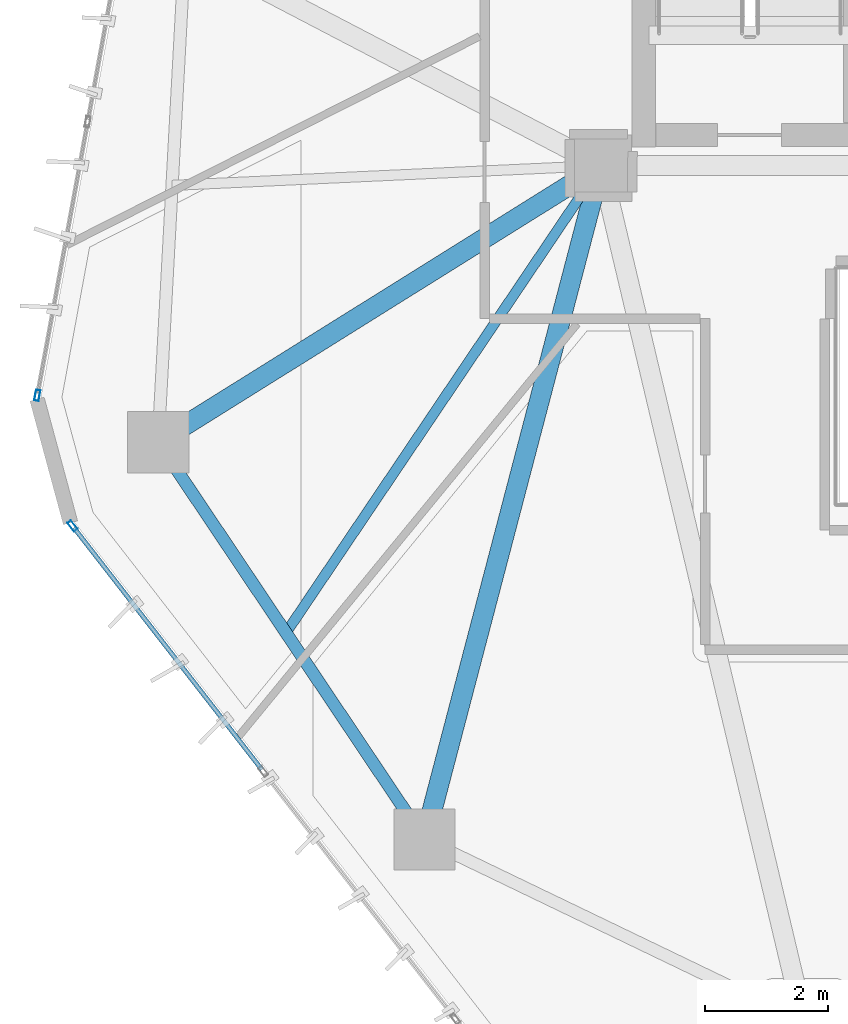
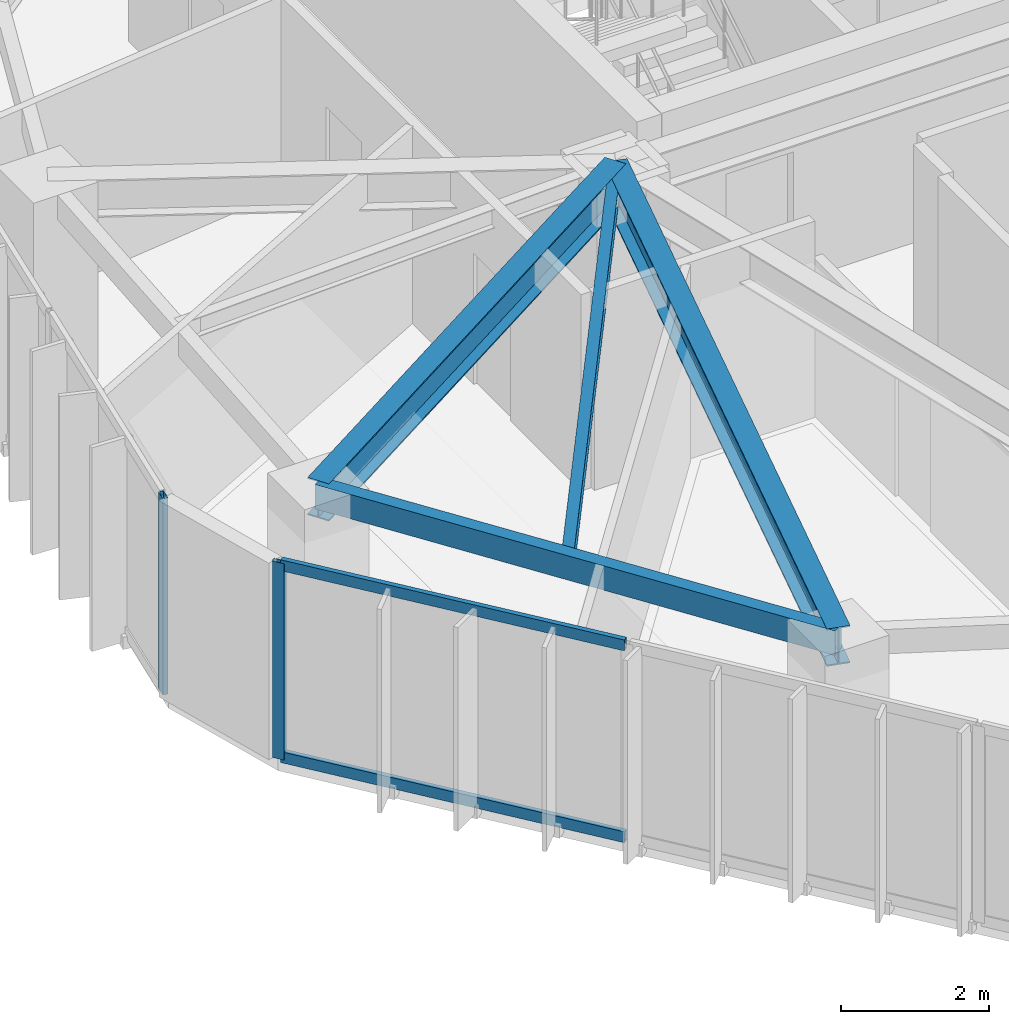
# One storey, part 3 of 19: 4 beams, 4 members, 2 elements without a shape of their own.
"""IFC4 building model written with IfcOpenShell, lengths in metres."""

from ifc_helpers import new_model, si_unit, direction, frame, origin, origin_2d, place, context, subcontext, project, spatial, hollow_rectangle, i_section, extrude, source, transform, mapped, material, layer, layer_set, material_profile, profile_set, type_object, type_shapes, element, aggregate, save


model = new_model("IFC4")

# Units and contexts
model_context = context("Model", 3, precision=1e-05, world=origin(), true_north=direction((0.0, 1.0)))
body_context = subcontext(model_context, "Body", "Model", "MODEL_VIEW")
ifc_project = project(units=[si_unit("LENGTHUNIT", "METRE"), si_unit("AREAUNIT", "SQUARE_METRE"), si_unit("VOLUMEUNIT", "CUBIC_METRE"), si_unit("PLANEANGLEUNIT", "RADIAN"), si_unit("MASSUNIT", "GRAM", prefix="KILO")], contexts=[model_context])

# Site, building, storey
site_placement = place(None, origin())
site = spatial("IfcSite", under=ifc_project, at=site_placement, CompositionType="ELEMENT")
building_placement = place(site_placement, origin())
building = spatial("IfcBuilding", under=site, at=building_placement, Name="Talar Marvaseh", CompositionType="ELEMENT")
storey_placement = place(building_placement, frame((0.0, 0.0, 195.0)))
storey = spatial("IfcBuildingStorey", under=building, at=storey_placement, Name="L51", CompositionType="ELEMENT", Elevation=195.0)

# Beams
ifc_material_1 = material(Name="Steel S355", Category="steel")
ifc_material_profile_1 = material_profile(ifc_material_1, hollow_rectangle(XDim=0.199951171875, YDim=0.39990234375, WallThickness=0.013916015625, at=origin_2d()), Name="RHS400x200x14")
ifc_profile_set_1 = profile_set([ifc_material_profile_1], Name="Steel S355")
beam_type_1 = type_object("IfcBeamType", Name="Zone 3 Perimeter Spandrel Beam RHS400x200x14", PredefinedType="SPANDREL", material=ifc_profile_set_1)
beam_1_placement = place(storey_placement, frame((15.819091796875, 14.5009765625, 3.030029296875), z_axis=(-0.556805579613, 0.830642851358, 0.0), x_axis=(-0.830642851358, -0.556805579613, 0.0)))
element("IfcBeam", 1, at=beam_1_placement, inside=storey, type_object=beam_type_1, Name="L51 Zone 3 Perimeter Spandrel Beam RHS400x200x14", PredefinedType="SPANDREL", context=body_context, shape_type="SweptSolid", body=[
    extrude(hollow_rectangle(XDim=0.199951171875, YDim=0.39990234375, WallThickness=0.013916015625, at=origin_2d()), origin(), (0.0, 0.0, 1.0), 7.807373046875),
])
ifc_material_profile_2 = material_profile(ifc_material_1, i_section(OverallWidth=0.324951171875, OverallDepth=0.615966796875, WebThickness=0.013916015625, FlangeThickness=0.021484375, at=origin_2d()), Name="W610x174")
ifc_profile_set_2 = profile_set([ifc_material_profile_2], Name="Steel S355")
beam_type_2 = type_object("IfcBeamType", Name="Zone 3 Radial Floor Girder W610x174", PredefinedType="BEAM", material=ifc_profile_set_2)
beam_2_placement = place(storey_placement, frame((15.819091796875, 14.5009765625, 2.922119140625), z_axis=(0.253372787776, 0.967368714821, 0.0), x_axis=(-0.967368714821, 0.253372787776, 0.0)))
element("IfcBeam", 2, at=beam_2_placement, inside=storey, type_object=beam_type_2, Name="L51 Zone 3 Radial Floor Girder W610x174", PredefinedType="BEAM", context=body_context, shape_type="SweptSolid", body=[
    extrude(i_section(OverallWidth=0.324951171875, OverallDepth=0.615966796875, WebThickness=0.013916015625, FlangeThickness=0.021484375, at=origin_2d()), origin(), (0.0, 0.0, 1.0), 11.3701171875),
])
beam_3_placement = place(storey_placement, frame((11.471923828125, 20.986083984375, 2.922119140625), z_axis=(0.848188171212, 0.52969503133, 0.0), x_axis=(-0.52969503133, 0.848188171212, 0.0)))
element("IfcBeam", 3, at=beam_3_placement, inside=storey, type_object=beam_type_2, Name="L51 Zone 3 Radial Floor Girder W610x174", PredefinedType="BEAM", context=body_context, shape_type="SweptSolid", body=[
    extrude(i_section(OverallWidth=0.324951171875, OverallDepth=0.615966796875, WebThickness=0.013916015625, FlangeThickness=0.021484375, at=origin_2d()), origin(), (0.0, 0.0, 1.0), 8.521728515625),
])
ifc_material_profile_3 = material_profile(ifc_material_1, i_section(OverallWidth=0.166015625, OverallDepth=0.31298828125, WebThickness=0.006591796875, FlangeThickness=0.01123046875, at=origin_2d()), Name="W310x45")
ifc_profile_set_3 = profile_set([ifc_material_profile_3], Name="Steel S355")
beam_type_3 = type_object("IfcBeamType", Name="Zone 3 Secondary Floor Joist W310x45", PredefinedType="JOIST", material=ifc_profile_set_3)
beam_4_placement = place(storey_placement, frame((13.55859375, 17.873291015625, 3.073486328125), z_axis=(0.558974483718, 0.829184856683, 0.0), x_axis=(-0.829184856683, 0.558974483718, 0.0)))
element("IfcBeam", 4, at=beam_4_placement, inside=storey, type_object=beam_type_3, Name="L51 Zone 3 Secondary Floor Joist W310x45", PredefinedType="JOIST", context=body_context, shape_type="SweptSolid", body=[
    extrude(i_section(OverallWidth=0.166015625, OverallDepth=0.31298828125, WebThickness=0.006591796875, FlangeThickness=0.01123046875, at=origin_2d()), origin(), (0.0, 0.0, 1.0), 9.19775390625),
])

# Curtain wall, member
ifc_material_2 = material(Name="Architectural Aluminium", Category="aluminium")
ifc_layer = layer(ifc_material_2, 0.18994140625)
ifc_layer_set = layer_set([ifc_layer], Name="Architectural Aluminium")
curtain_wall_type = type_object("IfcCurtainWallType", Name="Unitised Solar Atelier Curtain Wall Z3", PredefinedType="NOTDEFINED", material=ifc_layer_set)
curtain_wall_1_placement = place(storey_placement, origin())
curtain_wall_1 = element("IfcCurtainWall", 5, at=curtain_wall_1_placement, inside=storey, type_object=curtain_wall_type, Name="L51 Unitised Solar Atelier Curtain Wall Z3", PredefinedType="NOTDEFINED")
ifc_material_profile_4 = material_profile(ifc_material_2, hollow_rectangle(XDim=0.074951171875, YDim=0.179931640625, WallThickness=0.0048828125, at=origin_2d()), Name="RHS180x75x5")
ifc_profile_set_4 = profile_set([ifc_material_profile_4], Name="Architectural Aluminium")
member_type_1 = type_object("IfcMemberType", Name="Unitised Curtain Wall Standard Mullion RHS180x75x5", PredefinedType="MULLION", material=ifc_profile_set_4)
shared_shape_1 = source(origin(), body_context, "Body", "SweptSolid", [
    extrude(hollow_rectangle(XDim=0.074951171875, YDim=0.179931640625, WallThickness=0.0048828125, at=origin_2d()), origin(), (0.0, 0.0, 1.0), 3.22998046875),
])
type_shapes(member_type_1, [shared_shape_1])
member_1_placement = place(storey_placement, frame((10.073486328125, 19.619140625, 0.0), z_axis=(0.0, 0.0, 1.0), x_axis=(-0.789661382052, -0.613542909416, 0.0)))
member_1 = element("IfcMember", 6, at=member_1_placement, type_object=member_type_1, Name="CW-Z3 mullion 4", PredefinedType="MULLION", context=body_context, shape_type="MappedRepresentation", body=[
    mapped(shared_shape_1, transform((0.0, 0.0, 0.0), x_axis=(1.0, 0.0, 0.0), y_axis=(0.0, 1.0, 0.0), z_axis=(0.0, 0.0, 1.0), scale=1.0)),
])

curtain_wall_2_placement = place(storey_placement, origin())
curtain_wall_2 = element("IfcCurtainWall", 7, at=curtain_wall_2_placement, inside=storey, type_object=curtain_wall_type, Name="L51 Unitised Solar Atelier Curtain Wall Z3", PredefinedType="NOTDEFINED")
member_2_placement = place(storey_placement, frame((9.50048828125, 21.74951171875, 0.0), z_axis=(0.0, 0.0, 1.0), x_axis=(-0.983470392607, 0.181069011334, 0.0)))
member_2 = element("IfcMember", 8, at=member_2_placement, type_object=member_type_1, Name="CW-Z3 mullion 1", PredefinedType="MULLION", context=body_context, shape_type="MappedRepresentation", body=[
    mapped(shared_shape_1, transform((0.0, 0.0, 0.0), x_axis=(1.0, 0.0, 0.0), y_axis=(0.0, 1.0, 0.0), z_axis=(0.0, 0.0, 1.0), scale=1.0)),
])
aggregate(curtain_wall_2, [member_2])

# Member
ifc_material_profile_5 = material_profile(ifc_material_2, hollow_rectangle(XDim=0.074951171875, YDim=0.179931640625, WallThickness=0.0048828125, at=origin_2d()), Name="RHS180x75x5")
ifc_profile_set_5 = profile_set([ifc_material_profile_5], Name="Architectural Aluminium")
member_type_2 = type_object("IfcMemberType", Name="Unitised Curtain Wall Transom RHS180x75x5", PredefinedType="USERDEFINED", material=ifc_profile_set_5)
shared_shape_2 = source(origin(), body_context, "Body", "SweptSolid", [
    extrude(hollow_rectangle(XDim=0.074951171875, YDim=0.179931640625, WallThickness=0.0048828125, at=origin_2d()), origin(), (0.0, 0.0, 1.0), 5.00048828125),
])
type_shapes(member_type_2, [shared_shape_2])
member_3_placement = place(storey_placement, frame((13.16455078125, 15.640869140625, 0.03759765625), z_axis=(-0.613551837196, 0.789654445358, 0.0), x_axis=(-0.789654445358, -0.613551837196, 0.0)))
member_3 = element("IfcMember", 9, at=member_3_placement, type_object=member_type_2, Name="CW-Z3 transom 3.1", ObjectType="TRANSOM", PredefinedType="USERDEFINED", context=body_context, shape_type="MappedRepresentation", body=[
    mapped(shared_shape_2, transform((0.0, 0.0, 0.0), x_axis=(1.0, 0.0, 0.0), y_axis=(0.0, 1.0, 0.0), z_axis=(0.0, 0.0, 1.0), scale=1.0)),
])

member_4_placement = place(storey_placement, frame((13.16455078125, 15.640869140625, 3.1923828125), z_axis=(-0.613551837196, 0.789654445358, 0.0), x_axis=(-0.789654445358, -0.613551837196, 0.0)))
member_4 = element("IfcMember", 10, at=member_4_placement, type_object=member_type_2, Name="CW-Z3 transom 3.2", ObjectType="TRANSOM", PredefinedType="USERDEFINED", context=body_context, shape_type="MappedRepresentation", body=[
    mapped(shared_shape_2, transform((0.0, 0.0, 0.0), x_axis=(1.0, 0.0, 0.0), y_axis=(0.0, 1.0, 0.0), z_axis=(0.0, 0.0, 1.0), scale=1.0)),
])

aggregate(curtain_wall_1, [member_1, member_3, member_4])

save(model, "model.ifc")
